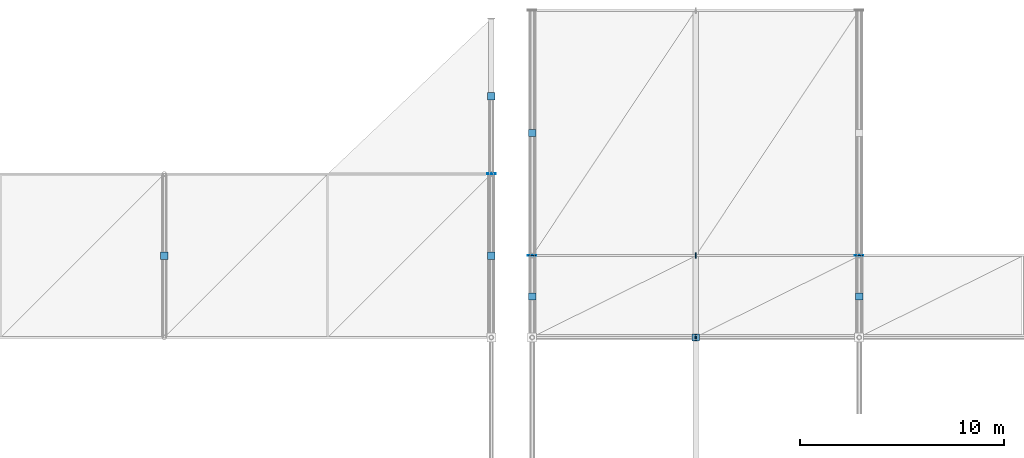
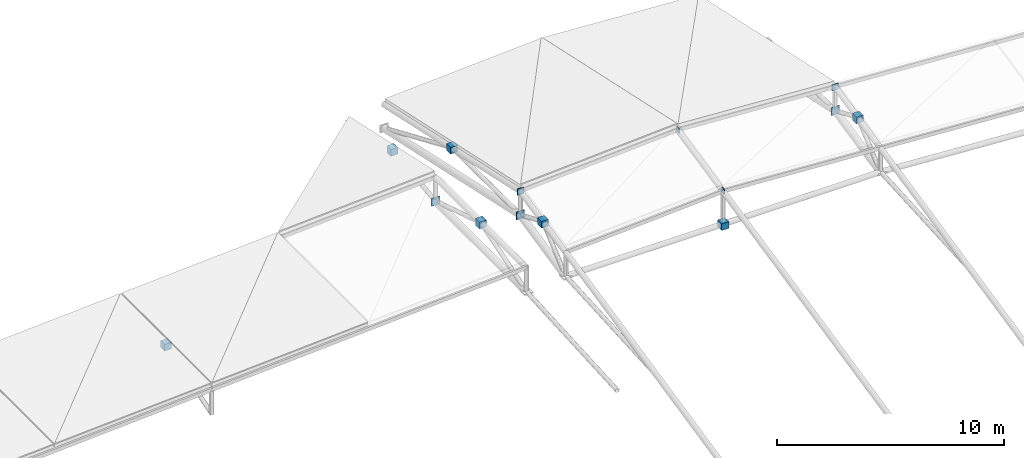
# One storey, part 22 of 27: 14 discrete accessories.
"""IFC4 building model written with IfcOpenShell, lengths in metres."""

from ifc_helpers import new_model, si_unit, direction, frame, origin, origin_2d, place, context, subcontext, project, spatial, rectangle, extrude, material, type_object, element, save


model = new_model("IFC4")

# Units and contexts
model_context = context("Model", 3, precision=1e-05, world=origin(), true_north=direction((0.0, 1.0)))
body_context = subcontext(model_context, "Body", "Model", "MODEL_VIEW")
ifc_project = project(units=[si_unit("LENGTHUNIT", "METRE"), si_unit("AREAUNIT", "SQUARE_METRE"), si_unit("VOLUMEUNIT", "CUBIC_METRE"), si_unit("PLANEANGLEUNIT", "RADIAN"), si_unit("MASSUNIT", "GRAM", prefix="KILO")], contexts=[model_context])

# Site, building, storey
site_placement = place(None, origin())
site = spatial("IfcSite", under=ifc_project, at=site_placement, CompositionType="ELEMENT")
building_placement = place(site_placement, origin())
building = spatial("IfcBuilding", under=site, at=building_placement, Name="Drelvath Fold Interchange", CompositionType="ELEMENT")
storey_placement = place(building_placement, frame((0.0, 0.0, 19.800048828125)))
storey = spatial("IfcBuildingStorey", under=building, at=storey_placement, Name="L04", CompositionType="ELEMENT", Elevation=19.800048828125)

# Discrete accessories
ifc_material = material(Name="Steel ASTM A572 Grade 50", Category="steel")
discrete_accessory_type = type_object("IfcDiscreteAccessoryType", Name="AC-CAP380", PredefinedType="BRACKET", material=ifc_material)
discrete_accessory_1_placement = place(storey_placement, frame((84.0, 47.0048828125, 0.4345703125), z_axis=(0.0, 0.0, 1.0), x_axis=(1.0, 0.0, 0.0)))
element("IfcDiscreteAccessory", 1, at=discrete_accessory_1_placement, inside=storey, type_object=discrete_accessory_type, Name="Welded hollow member end cap 167", PredefinedType="BRACKET", context=body_context, shape_type="SweptSolid", body=[
    extrude(rectangle(XDim=0.35888671875, YDim=0.35888671875, at=origin_2d()), origin(), (0.0, 0.0, 1.0), 0.35888671875),
])
discrete_accessory_2_placement = place(storey_placement, frame((100.0, 51.0048828125, 0.096923828125), z_axis=(0.0, 0.0, 1.0), x_axis=(1.0, 0.0, 0.0)))
element("IfcDiscreteAccessory", 2, at=discrete_accessory_2_placement, inside=storey, type_object=discrete_accessory_type, Name="Welded hollow member end cap 177", PredefinedType="BRACKET", context=body_context, shape_type="SweptSolid", body=[
    extrude(rectangle(XDim=0.416015625, YDim=0.0400390625, at=origin_2d()), origin(), (0.0, 0.0, 1.0), 0.416015625),
])
for number, where, z_axis, x_axis, name in (
    (3, (100.0, 47.0048828125, 1.3974609375), (0.0, 0.0, 1.0), (1.0, 0.0, 0.0), "Welded hollow member end cap 178"),
    (4, (100.0, 54.804931640625, 0.568603515625), (0.0, 0.0, 1.0), (1.0, 0.0, 0.0), "Welded hollow member end cap 181"),
):
    element("IfcDiscreteAccessory", number, at=place(storey_placement, frame(where, z_axis=z_axis, x_axis=x_axis)), inside=storey, type_object=discrete_accessory_type, Name=name, PredefinedType="BRACKET", context=body_context, shape_type="SweptSolid", body=[
        extrude(rectangle(XDim=0.35888671875, YDim=0.35888671875, at=origin_2d()), origin(), (0.0, 0.0, 1.0), 0.35888671875),
    ])
discrete_accessory_3_placement = place(storey_placement, frame((102.0, 47.0048828125, 1.08984375), z_axis=(0.0, 0.0, 1.0), x_axis=(1.0, 0.0, 0.0)))
element("IfcDiscreteAccessory", 5, at=discrete_accessory_3_placement, inside=storey, type_object=discrete_accessory_type, Name="Welded hollow member end cap 188", PredefinedType="BRACKET", context=body_context, shape_type="SweptSolid", body=[
    extrude(rectangle(XDim=0.416015625, YDim=0.0400390625, at=origin_2d()), origin(), (0.0, 0.0, 1.0), 0.416015625),
])
discrete_accessory_4_placement = place(storey_placement, frame((102.0, 47.0048828125, 2.4013671875), z_axis=(0.0, 0.0, 1.0), x_axis=(1.0, 0.0, 0.0)))
element("IfcDiscreteAccessory", 6, at=discrete_accessory_4_placement, inside=storey, type_object=discrete_accessory_type, Name="Welded hollow member end cap 189", PredefinedType="BRACKET", context=body_context, shape_type="SweptSolid", body=[
    extrude(rectangle(XDim=0.3330078125, YDim=0.0400390625, at=origin_2d()), origin(), (0.0, 0.0, 1.0), 0.3330078125),
])
for number, where, z_axis, x_axis, name in (
    (7, (102.0, 45.00390625, 1.95458984375), (0.0, 0.0, 1.0), (1.0, 0.0, 0.0), "Welded hollow member end cap 190"),
    (8, (102.0, 53.0048828125, 1.07958984375), (0.0, 0.0, 1.0), (1.0, 0.0, 0.0), "Welded hollow member end cap 192"),
):
    element("IfcDiscreteAccessory", number, at=place(storey_placement, frame(where, z_axis=z_axis, x_axis=x_axis)), inside=storey, type_object=discrete_accessory_type, Name=name, PredefinedType="BRACKET", context=body_context, shape_type="SweptSolid", body=[
        extrude(rectangle(XDim=0.35888671875, YDim=0.35888671875, at=origin_2d()), origin(), (0.0, 0.0, 1.0), 0.35888671875),
    ])
discrete_accessory_5_placement = place(storey_placement, frame((118.0, 47.0048828125, 1.08984375), z_axis=(0.0, 0.0, 1.0), x_axis=(1.0, 0.0, 0.0)))
element("IfcDiscreteAccessory", 9, at=discrete_accessory_5_placement, inside=storey, type_object=discrete_accessory_type, Name="Welded hollow member end cap 204", PredefinedType="BRACKET", context=body_context, shape_type="SweptSolid", body=[
    extrude(rectangle(XDim=0.416015625, YDim=0.0400390625, at=origin_2d()), origin(), (0.0, 0.0, 1.0), 0.416015625),
])
discrete_accessory_6_placement = place(storey_placement, frame((118.0, 47.0048828125, 2.4013671875), z_axis=(0.0, 0.0, 1.0), x_axis=(1.0, 0.0, 0.0)))
element("IfcDiscreteAccessory", 10, at=discrete_accessory_6_placement, inside=storey, type_object=discrete_accessory_type, Name="Welded hollow member end cap 205", PredefinedType="BRACKET", context=body_context, shape_type="SweptSolid", body=[
    extrude(rectangle(XDim=0.3330078125, YDim=0.0400390625, at=origin_2d()), origin(), (0.0, 0.0, 1.0), 0.3330078125),
])
discrete_accessory_7_placement = place(storey_placement, frame((118.0, 45.00390625, 1.95458984375), z_axis=(0.0, 0.0, 1.0), x_axis=(1.0, 0.0, 0.0)))
element("IfcDiscreteAccessory", 11, at=discrete_accessory_7_placement, inside=storey, type_object=discrete_accessory_type, Name="Welded hollow member end cap 206", PredefinedType="BRACKET", context=body_context, shape_type="SweptSolid", body=[
    extrude(rectangle(XDim=0.35888671875, YDim=0.35888671875, at=origin_2d()), origin(), (0.0, 0.0, 1.0), 0.35888671875),
])
for number, where, z_axis, x_axis, name in (
    (12, (110.0048828125, 43.0, 2.07666015625), (0.0, 0.0, 1.0), (1.0, 0.0, 0.0), "Welded hollow member end cap 280"),
    (13, (110.0048828125, 47.0, 2.9482421875), (0.0, 0.0, 1.0), (1.0, 0.0, 0.0), "Welded hollow member end cap 281"),
):
    element("IfcDiscreteAccessory", number, at=place(storey_placement, frame(where, z_axis=z_axis, x_axis=x_axis)), inside=storey, type_object=discrete_accessory_type, Name=name, PredefinedType="BRACKET", context=body_context, shape_type="SweptSolid", body=[
        extrude(rectangle(XDim=0.0400390625, YDim=0.262939453125, at=origin_2d()), origin(), (0.0, 0.0, 1.0), 0.262939453125),
    ])
discrete_accessory_8_placement = place(storey_placement, frame((110.0, 43.0, 0.240478515625), z_axis=(0.0, 0.0, 1.0), x_axis=(1.0, 0.0, 0.0)))
element("IfcDiscreteAccessory", 14, at=discrete_accessory_8_placement, inside=storey, type_object=discrete_accessory_type, Name="Welded hollow member end cap 286", PredefinedType="BRACKET", context=body_context, shape_type="SweptSolid", body=[
    extrude(rectangle(XDim=0.35888671875, YDim=0.35888671875, at=origin_2d()), origin(), (0.0, 0.0, 1.0), 0.35888671875),
])

save(model, "model.ifc")
